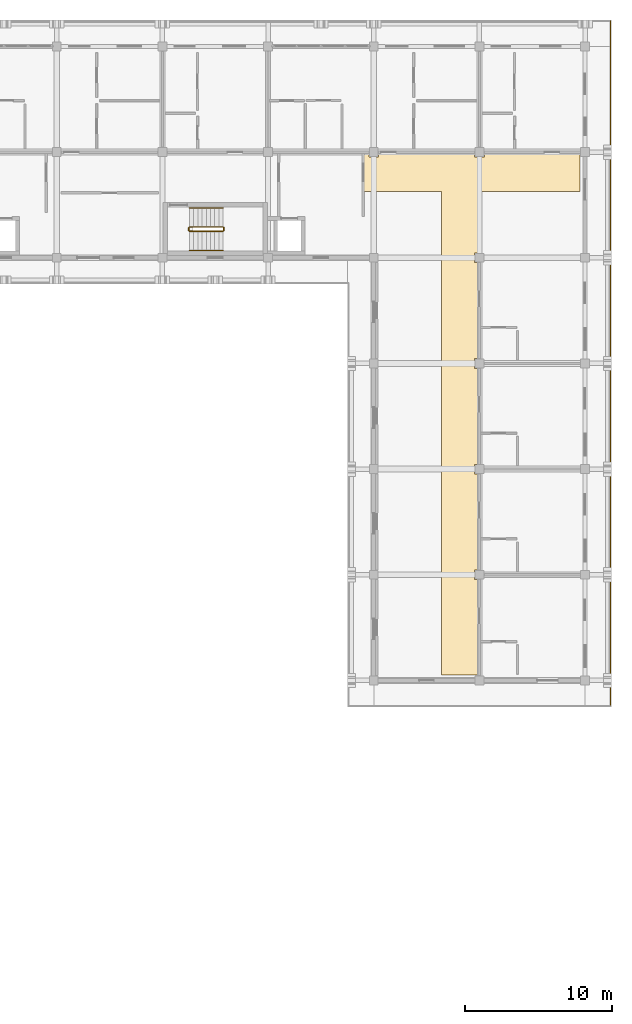
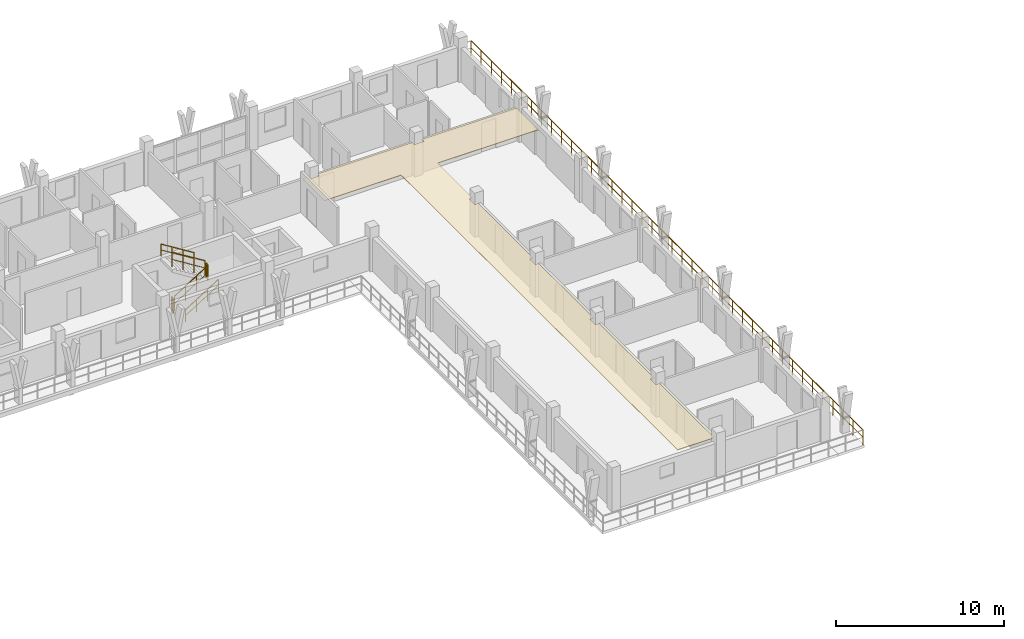
# One storey, part 76 of 76: 7 railings, 1 covering.
"""IFC4 building model written with IfcOpenShell, lengths in metres."""

from ifc_helpers import new_model, si_unit, direction, frame, origin, origin_2d, place, context, subcontext, project, spatial, polyline, rectangle, outline, extrude, material, layer, layer_set, type_object, element, save


model = new_model("IFC4")

# Units and contexts
model_context = context("Model", 3, precision=1e-05, world=origin(), true_north=direction((0.0, 1.0)))
body_context = subcontext(model_context, "Body", "Model", "MODEL_VIEW")
ifc_project = project(units=[si_unit("LENGTHUNIT", "METRE"), si_unit("AREAUNIT", "SQUARE_METRE"), si_unit("VOLUMEUNIT", "CUBIC_METRE"), si_unit("PLANEANGLEUNIT", "RADIAN"), si_unit("MASSUNIT", "GRAM", prefix="KILO")], contexts=[model_context])

# Site, building, storey
site_placement = place(None, origin())
site = spatial("IfcSite", under=ifc_project, at=site_placement, CompositionType="ELEMENT")
building_placement = place(site_placement, origin())
building = spatial("IfcBuilding", under=site, at=building_placement, Name="Suanplinth Sawtooth Commons", CompositionType="ELEMENT")
storey_placement = place(building_placement, frame((0.0, 0.0, 12.199951171875)))
storey = spatial("IfcBuildingStorey", under=building, at=storey_placement, Name="L03", CompositionType="ELEMENT", Elevation=12.199951171875)

# Covering
ifc_material_1 = material(Name="Mineral fibre acoustic tile")
ifc_layer = layer(ifc_material_1, 0.0400390625, Name="Perforated mineral-fibre acoustic suspended ceiling")
ifc_layer_set = layer_set([ifc_layer], Name="Mineral fibre acoustic tile")
covering_type = type_object("IfcCoveringType", Name="CV-CE01", PredefinedType="CEILING", material=ifc_layer_set)
covering_placement = place(storey_placement, frame((0.0, 0.0, 2.380126953125)))
element("IfcCovering", 1, at=covering_placement, inside=storey, type_object=covering_type, Name="L03 Block B Corridor Acoustic Ceiling", PredefinedType="CEILING", context=body_context, shape_type="SweptSolid", body=[
    extrude(outline(polyline([(172.469970703125, 115.1201171875), (172.469970703125, 114.8701171875), (173.1298828125, 114.8701171875), (173.1298828125, 115.1201171875), (179.669921875, 115.1201171875), (179.669921875, 114.8701171875), (180.330078125, 114.8701171875), (180.330078125, 115.1201171875), (186.840087890625, 115.1201171875), (186.840087890625, 112.5), (179.919921875, 112.5), (179.919921875, 108.330078125), (179.669921875, 108.330078125), (179.669921875, 107.669921875), (179.919921875, 107.669921875), (179.919921875, 101.1298828125), (179.669921875, 101.1298828125), (179.669921875, 100.469970703125), (179.919921875, 100.469970703125), (179.919921875, 93.929931640625), (179.669921875, 93.929931640625), (179.669921875, 93.27001953125), (179.919921875, 93.27001953125), (179.919921875, 86.72998046875), (179.669921875, 86.72998046875), (179.669921875, 86.070068359375), (179.919921875, 86.070068359375), (179.919921875, 79.56005859375), (177.39990234375, 79.56005859375), (177.39990234375, 112.5), (172.1201171875, 112.5), (172.1201171875, 115.1201171875), (172.469970703125, 115.1201171875)])), origin(), (0.0, 0.0, 1.0), 0.0400390625),
])

# Railings
ifc_material_2 = material(Name="Powder-coated galvanized steel", Category="steel")
railing_type_1 = type_object("IfcRailingType", Name="GR-01", PredefinedType="BALUSTRADE", material=ifc_material_2)
railing_1_placement = place(storey_placement, frame((188.93994140625, 124.139892578125, 0.0)))
element("IfcRailing", 2, at=railing_1_placement, inside=storey, type_object=railing_type_1, Name="L03 Block B Perimeter Balustrade 5", PredefinedType="BALUSTRADE", context=body_context, shape_type="SweptSolid", body=[
    extrude(rectangle(XDim=0.048095703125, YDim=0.048095703125, at=origin_2d()), frame((0.0, 0.0, 1.09619140625), z_axis=(0.0, -1.0, 0.0), x_axis=(1.0, 0.0, 0.0)), (0.0, 0.0, 1.0), 46.679931640625),
    extrude(rectangle(XDim=0.03369140625, YDim=0.03369140625, at=origin_2d()), frame((0.0, 0.0, 0.56005859375), z_axis=(0.0, -1.0, 0.0), x_axis=(1.0, 0.0, 0.0)), (0.0, 0.0, 1.0), 46.679931640625),
    extrude(rectangle(XDim=0.0419921875, YDim=0.0419921875, at=origin_2d()), origin(), (0.0, 0.0, 1.0), 1.072021484375),
    extrude(rectangle(XDim=0.0419921875, YDim=0.0419921875, at=origin_2d()), frame((0.0, -1.197021484375, 0.0)), (0.0, 0.0, 1.0), 1.072021484375),
    extrude(rectangle(XDim=0.0419921875, YDim=0.0419921875, at=origin_2d()), frame((0.0, -2.393798828125, 0.0)), (0.0, 0.0, 1.0), 1.072021484375),
    extrude(rectangle(XDim=0.0419921875, YDim=0.0419921875, at=origin_2d()), frame((0.0, -3.5908203125, 0.0)), (0.0, 0.0, 1.0), 1.072021484375),
    extrude(rectangle(XDim=0.0419921875, YDim=0.0419921875, at=origin_2d()), frame((0.0, -4.78759765625, 0.0)), (0.0, 0.0, 1.0), 1.072021484375),
    extrude(rectangle(XDim=0.0419921875, YDim=0.0419921875, at=origin_2d()), frame((0.0, -5.984619140625, 0.0)), (0.0, 0.0, 1.0), 1.072021484375),
    extrude(rectangle(XDim=0.0419921875, YDim=0.0419921875, at=origin_2d()), frame((0.0, -7.181640625, 0.0)), (0.0, 0.0, 1.0), 1.072021484375),
    extrude(rectangle(XDim=0.0419921875, YDim=0.0419921875, at=origin_2d()), frame((0.0, -8.37841796875, 0.0)), (0.0, 0.0, 1.0), 1.072021484375),
    extrude(rectangle(XDim=0.0419921875, YDim=0.0419921875, at=origin_2d()), frame((0.0, -9.575439453125, 0.0)), (0.0, 0.0, 1.0), 1.072021484375),
    extrude(rectangle(XDim=0.0419921875, YDim=0.0419921875, at=origin_2d()), frame((0.0, -10.772216796875, 0.0)), (0.0, 0.0, 1.0), 1.072021484375),
    extrude(rectangle(XDim=0.0419921875, YDim=0.0419921875, at=origin_2d()), frame((0.0, -11.96923828125, 0.0)), (0.0, 0.0, 1.0), 1.072021484375),
    extrude(rectangle(XDim=0.0419921875, YDim=0.0419921875, at=origin_2d()), frame((0.0, -13.166015625, 0.0)), (0.0, 0.0, 1.0), 1.072021484375),
    extrude(rectangle(XDim=0.0419921875, YDim=0.0419921875, at=origin_2d()), frame((0.0, -14.363037109375, 0.0)), (0.0, 0.0, 1.0), 1.072021484375),
    extrude(rectangle(XDim=0.0419921875, YDim=0.0419921875, at=origin_2d()), frame((0.0, -15.56005859375, 0.0)), (0.0, 0.0, 1.0), 1.072021484375),
    extrude(rectangle(XDim=0.0419921875, YDim=0.0419921875, at=origin_2d()), frame((0.0, -16.7568359375, 0.0)), (0.0, 0.0, 1.0), 1.072021484375),
    extrude(rectangle(XDim=0.0419921875, YDim=0.0419921875, at=origin_2d()), frame((0.0, -17.953857421875, 0.0)), (0.0, 0.0, 1.0), 1.072021484375),
    extrude(rectangle(XDim=0.0419921875, YDim=0.0419921875, at=origin_2d()), frame((0.0, -19.150634765625, 0.0)), (0.0, 0.0, 1.0), 1.072021484375),
    extrude(rectangle(XDim=0.0419921875, YDim=0.0419921875, at=origin_2d()), frame((0.0, -20.34765625, 0.0)), (0.0, 0.0, 1.0), 1.072021484375),
    extrude(rectangle(XDim=0.0419921875, YDim=0.0419921875, at=origin_2d()), frame((0.0, -21.544677734375, 0.0)), (0.0, 0.0, 1.0), 1.072021484375),
    extrude(rectangle(XDim=0.0419921875, YDim=0.0419921875, at=origin_2d()), frame((0.0, -22.741455078125, 0.0)), (0.0, 0.0, 1.0), 1.072021484375),
    extrude(rectangle(XDim=0.0419921875, YDim=0.0419921875, at=origin_2d()), frame((0.0, -23.9384765625, 0.0)), (0.0, 0.0, 1.0), 1.072021484375),
    extrude(rectangle(XDim=0.0419921875, YDim=0.0419921875, at=origin_2d()), frame((0.0, -25.13525390625, 0.0)), (0.0, 0.0, 1.0), 1.072021484375),
    extrude(rectangle(XDim=0.0419921875, YDim=0.0419921875, at=origin_2d()), frame((0.0, -26.332275390625, 0.0)), (0.0, 0.0, 1.0), 1.072021484375),
    extrude(rectangle(XDim=0.0419921875, YDim=0.0419921875, at=origin_2d()), frame((0.0, -27.529296875, 0.0)), (0.0, 0.0, 1.0), 1.072021484375),
    extrude(rectangle(XDim=0.0419921875, YDim=0.0419921875, at=origin_2d()), frame((0.0, -28.72607421875, 0.0)), (0.0, 0.0, 1.0), 1.072021484375),
    extrude(rectangle(XDim=0.0419921875, YDim=0.0419921875, at=origin_2d()), frame((0.0, -29.923095703125, 0.0)), (0.0, 0.0, 1.0), 1.072021484375),
    extrude(rectangle(XDim=0.0419921875, YDim=0.0419921875, at=origin_2d()), frame((0.0, -31.119873046875, 0.0)), (0.0, 0.0, 1.0), 1.072021484375),
    extrude(rectangle(XDim=0.0419921875, YDim=0.0419921875, at=origin_2d()), frame((0.0, -32.31689453125, 0.0)), (0.0, 0.0, 1.0), 1.072021484375),
    extrude(rectangle(XDim=0.0419921875, YDim=0.0419921875, at=origin_2d()), frame((0.0, -33.513916015625, 0.0)), (0.0, 0.0, 1.0), 1.072021484375),
    extrude(rectangle(XDim=0.0419921875, YDim=0.0419921875, at=origin_2d()), frame((0.0, -34.710693359375, 0.0)), (0.0, 0.0, 1.0), 1.072021484375),
    extrude(rectangle(XDim=0.0419921875, YDim=0.0419921875, at=origin_2d()), frame((0.0, -35.90771484375, 0.0)), (0.0, 0.0, 1.0), 1.072021484375),
    extrude(rectangle(XDim=0.0419921875, YDim=0.0419921875, at=origin_2d()), frame((0.0, -37.1044921875, 0.0)), (0.0, 0.0, 1.0), 1.072021484375),
    extrude(rectangle(XDim=0.0419921875, YDim=0.0419921875, at=origin_2d()), frame((0.0, -38.301513671875, 0.0)), (0.0, 0.0, 1.0), 1.072021484375),
    extrude(rectangle(XDim=0.0419921875, YDim=0.0419921875, at=origin_2d()), frame((0.0, -39.498291015625, 0.0)), (0.0, 0.0, 1.0), 1.072021484375),
    extrude(rectangle(XDim=0.0419921875, YDim=0.0419921875, at=origin_2d()), frame((0.0, -40.6953125, 0.0)), (0.0, 0.0, 1.0), 1.072021484375),
    extrude(rectangle(XDim=0.0419921875, YDim=0.0419921875, at=origin_2d()), frame((0.0, -41.892333984375, 0.0)), (0.0, 0.0, 1.0), 1.072021484375),
    extrude(rectangle(XDim=0.0419921875, YDim=0.0419921875, at=origin_2d()), frame((0.0, -43.089111328125, 0.0)), (0.0, 0.0, 1.0), 1.072021484375),
    extrude(rectangle(XDim=0.0419921875, YDim=0.0419921875, at=origin_2d()), frame((0.0, -44.2861328125, 0.0)), (0.0, 0.0, 1.0), 1.072021484375),
    extrude(rectangle(XDim=0.0419921875, YDim=0.0419921875, at=origin_2d()), frame((0.0, -45.48291015625, 0.0)), (0.0, 0.0, 1.0), 1.072021484375),
    extrude(rectangle(XDim=0.0419921875, YDim=0.0419921875, at=origin_2d()), frame((0.0, -46.679931640625, 0.0)), (0.0, 0.0, 1.0), 1.072021484375),
])
ifc_material_3 = material(Name="Stainless steel Grade 304", Category="steel")
railing_type_2 = type_object("IfcRailingType", Name="GR-04", PredefinedType="GUARDRAIL", material=ifc_material_3)
railing_2_placement = place(storey_placement, frame((160.25, 109.800048828125, 0.177734375)))
element("IfcRailing", 3, at=railing_2_placement, inside=storey, type_object=railing_type_2, Name="L03 ST-E2 Guard 1", PredefinedType="GUARDRAIL", context=body_context, shape_type="SweptSolid", body=[
    extrude(rectangle(XDim=0.048095703125, YDim=0.048095703125, at=origin_2d()), frame((0.0, 0.0, 1.076171875), z_axis=(0.848442045328, 0.0, 0.529288291689), x_axis=(0.0, 1.0, 0.0)), (0.0, 0.0, 1.0), 2.687255859375),
    extrude(rectangle(XDim=0.03369140625, YDim=0.03369140625, at=origin_2d()), frame((0.0, 0.0, 0.550048828125), z_axis=(0.848442045328, 0.0, 0.529288291689), x_axis=(0.0, 1.0, 0.0)), (0.0, 0.0, 1.0), 2.687255859375),
    extrude(rectangle(XDim=0.0419921875, YDim=0.0419921875, at=origin_2d()), origin(), (0.0, 0.0, 1.0), 1.052001953125),
    extrude(rectangle(XDim=0.0419921875, YDim=0.0419921875, at=origin_2d()), frame((0.760009765625, 0.0, 0.47412109375)), (0.0, 0.0, 1.0), 1.052001953125),
    extrude(rectangle(XDim=0.0419921875, YDim=0.0419921875, at=origin_2d()), frame((1.52001953125, 0.0, 0.9482421875)), (0.0, 0.0, 1.0), 1.052001953125),
    extrude(rectangle(XDim=0.0419921875, YDim=0.0419921875, at=origin_2d()), frame((2.280029296875, 0.0, 1.42236328125)), (0.0, 0.0, 1.0), 1.052001953125),
])
railing_3_placement = place(storey_placement, frame((162.580078125, 109.85009765625, 1.60009765625)))
element("IfcRailing", 4, at=railing_3_placement, inside=storey, type_object=railing_type_2, Name="L03 ST-E2 Guard 2", PredefinedType="GUARDRAIL", context=body_context, shape_type="SweptSolid", body=[
    extrude(rectangle(XDim=0.048095703125, YDim=0.048095703125, at=origin_2d()), frame((0.0, 0.0, 1.076171875), z_axis=(0.0, 1.0, 0.0), x_axis=(-1.0, 0.0, 0.0)), (0.0, 0.0, 1.0), 0.199951171875),
    extrude(rectangle(XDim=0.03369140625, YDim=0.03369140625, at=origin_2d()), frame((0.0, 0.0, 0.550048828125), z_axis=(0.0, 1.0, 0.0), x_axis=(-1.0, 0.0, 0.0)), (0.0, 0.0, 1.0), 0.199951171875),
    extrude(rectangle(XDim=0.0419921875, YDim=0.0419921875, at=origin_2d()), origin(), (0.0, 0.0, 1.0), 1.052001953125),
    extrude(rectangle(XDim=0.0419921875, YDim=0.0419921875, at=origin_2d()), frame((0.0, 0.199951171875, 0.0)), (0.0, 0.0, 1.0), 1.052001953125),
])
railing_4_placement = place(storey_placement, frame((162.530029296875, 110.10009765625, 1.77783203125)))
element("IfcRailing", 5, at=railing_4_placement, inside=storey, type_object=railing_type_2, Name="L03 ST-E2 Guard 3", PredefinedType="GUARDRAIL", context=body_context, shape_type="SweptSolid", body=[
    extrude(rectangle(XDim=0.048095703125, YDim=0.048095703125, at=origin_2d()), frame((0.0, 0.0, 1.076171875), z_axis=(-0.848482842525, 0.0, 0.529222888715), x_axis=(0.0, -1.0, 0.0)), (0.0, 0.0, 1.0), 2.687255859375),
    extrude(rectangle(XDim=0.03369140625, YDim=0.03369140625, at=origin_2d()), frame((0.0, 0.0, 0.550048828125), z_axis=(-0.848482842525, 0.0, 0.529222888715), x_axis=(0.0, -1.0, 0.0)), (0.0, 0.0, 1.0), 2.687255859375),
    extrude(rectangle(XDim=0.0419921875, YDim=0.0419921875, at=origin_2d()), origin(), (0.0, 0.0, 1.0), 1.052001953125),
    extrude(rectangle(XDim=0.0419921875, YDim=0.0419921875, at=origin_2d()), frame((-0.760009765625, 0.0, 0.47412109375)), (0.0, 0.0, 1.0), 1.052001953125),
    extrude(rectangle(XDim=0.0419921875, YDim=0.0419921875, at=origin_2d()), frame((-1.52001953125, 0.0, 0.947998046875)), (0.0, 0.0, 1.0), 1.052001953125),
    extrude(rectangle(XDim=0.0419921875, YDim=0.0419921875, at=origin_2d()), frame((-2.280029296875, 0.0, 1.422119140625)), (0.0, 0.0, 1.0), 1.052001953125),
])
railing_5_placement = place(storey_placement, frame((160.199951171875, 109.85009765625, 0.0)))
element("IfcRailing", 6, at=railing_5_placement, inside=storey, type_object=railing_type_2, Name="L03 ST-E2 Guard 4", PredefinedType="GUARDRAIL", context=body_context, shape_type="SweptSolid", body=[
    extrude(rectangle(XDim=0.048095703125, YDim=0.048095703125, at=origin_2d()), frame((0.0, 0.0, 1.076171875), z_axis=(0.0, 1.0, 0.0), x_axis=(-1.0, 0.0, 0.0)), (0.0, 0.0, 1.0), 0.199951171875),
    extrude(rectangle(XDim=0.03369140625, YDim=0.03369140625, at=origin_2d()), frame((0.0, 0.0, 0.550048828125), z_axis=(0.0, 1.0, 0.0), x_axis=(-1.0, 0.0, 0.0)), (0.0, 0.0, 1.0), 0.199951171875),
    extrude(rectangle(XDim=0.0419921875, YDim=0.0419921875, at=origin_2d()), origin(), (0.0, 0.0, 1.0), 1.052001953125),
    extrude(rectangle(XDim=0.0419921875, YDim=0.0419921875, at=origin_2d()), frame((0.0, 0.199951171875, 0.0)), (0.0, 0.0, 1.0), 1.052001953125),
])
railing_type_3 = type_object("IfcRailingType", Name="HR-01", PredefinedType="HANDRAIL", material=ifc_material_3)
railing_6_placement = place(storey_placement, frame((160.25, 108.5, 0.177734375)))
element("IfcRailing", 7, at=railing_6_placement, inside=storey, type_object=railing_type_3, Name="L03 ST-E2 Handrail 1", PredefinedType="HANDRAIL", context=body_context, shape_type="SweptSolid", body=[
    extrude(rectangle(XDim=0.048095703125, YDim=0.048095703125, at=origin_2d()), frame((0.0, 0.0, 0.8759765625), z_axis=(0.848442045328, 0.0, 0.529288291689), x_axis=(0.0, 1.0, 0.0)), (0.0, 0.0, 1.0), 2.687255859375),
    extrude(rectangle(XDim=0.03369140625, YDim=0.03369140625, at=origin_2d()), frame((0.0, 0.0, 0.449951171875), z_axis=(0.848442045328, 0.0, 0.529288291689), x_axis=(0.0, 1.0, 0.0)), (0.0, 0.0, 1.0), 2.687255859375),
    extrude(rectangle(XDim=0.0419921875, YDim=0.0419921875, at=origin_2d()), origin(), (0.0, 0.0, 1.0), 0.851806640625),
    extrude(rectangle(XDim=0.0419921875, YDim=0.0419921875, at=origin_2d()), frame((0.760009765625, 0.0, 0.47412109375)), (0.0, 0.0, 1.0), 0.851806640625),
    extrude(rectangle(XDim=0.0419921875, YDim=0.0419921875, at=origin_2d()), frame((1.52001953125, 0.0, 0.9482421875)), (0.0, 0.0, 1.0), 0.851806640625),
    extrude(rectangle(XDim=0.0419921875, YDim=0.0419921875, at=origin_2d()), frame((2.280029296875, 0.0, 1.42236328125)), (0.0, 0.0, 1.0), 0.851806640625),
])
railing_7_placement = place(storey_placement, frame((162.530029296875, 111.39990234375, 1.77783203125)))
element("IfcRailing", 8, at=railing_7_placement, inside=storey, type_object=railing_type_3, Name="L03 ST-E2 Handrail 2", PredefinedType="HANDRAIL", context=body_context, shape_type="SweptSolid", body=[
    extrude(rectangle(XDim=0.048095703125, YDim=0.048095703125, at=origin_2d()), frame((0.0, 0.0, 0.8759765625), z_axis=(-0.848482842525, 0.0, 0.529222888715), x_axis=(0.0, -1.0, 0.0)), (0.0, 0.0, 1.0), 2.687255859375),
    extrude(rectangle(XDim=0.03369140625, YDim=0.03369140625, at=origin_2d()), frame((0.0, 0.0, 0.449951171875), z_axis=(-0.848482842525, 0.0, 0.529222888715), x_axis=(0.0, -1.0, 0.0)), (0.0, 0.0, 1.0), 2.687255859375),
    extrude(rectangle(XDim=0.0419921875, YDim=0.0419921875, at=origin_2d()), origin(), (0.0, 0.0, 1.0), 0.851806640625),
    extrude(rectangle(XDim=0.0419921875, YDim=0.0419921875, at=origin_2d()), frame((-0.760009765625, 0.0, 0.47412109375)), (0.0, 0.0, 1.0), 0.851806640625),
    extrude(rectangle(XDim=0.0419921875, YDim=0.0419921875, at=origin_2d()), frame((-1.52001953125, 0.0, 0.947998046875)), (0.0, 0.0, 1.0), 0.851806640625),
    extrude(rectangle(XDim=0.0419921875, YDim=0.0419921875, at=origin_2d()), frame((-2.280029296875, 0.0, 1.422119140625)), (0.0, 0.0, 1.0), 0.851806640625),
])

save(model, "model.ifc")
